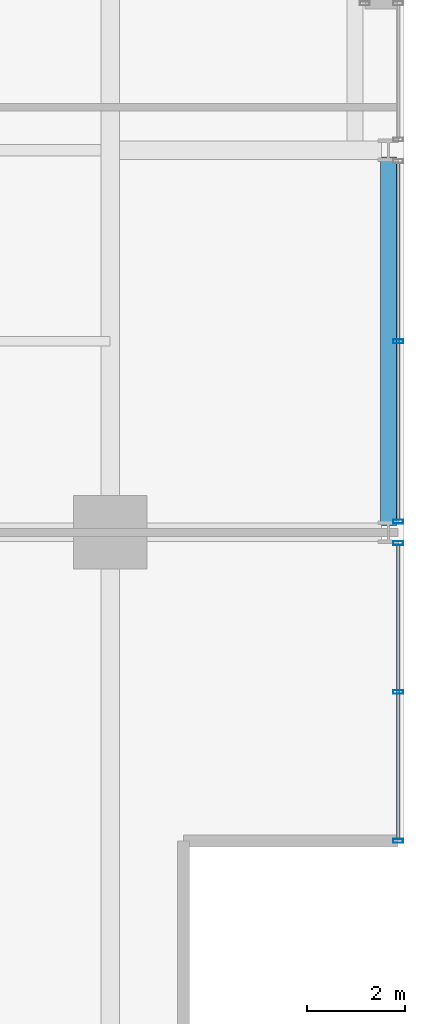
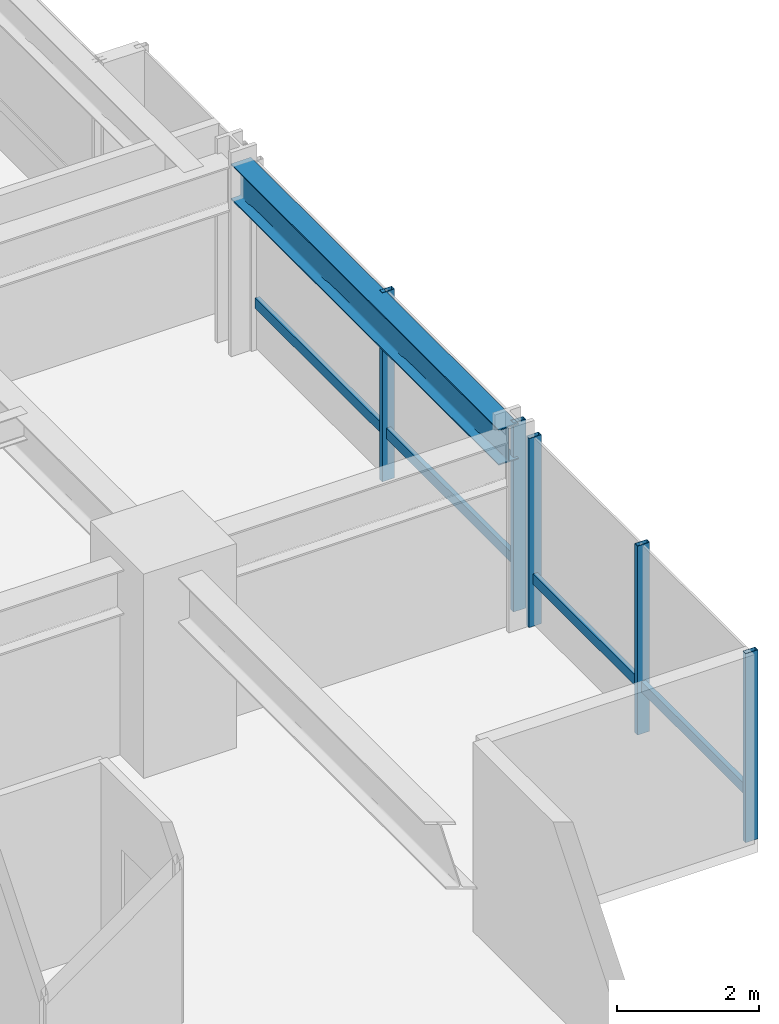
# One storey, part 13 of 34: 7 members, 1 beam, 2 elements without a shape of their own.
"""IFC4 building model written with IfcOpenShell, lengths in metres."""

from ifc_helpers import new_model, si_unit, direction, frame, origin, origin_2d, place, context, subcontext, project, spatial, hollow_rectangle, i_section, extrude, material, layer, layer_set, material_profile, profile_set, type_object, element, aggregate, save


model = new_model("IFC4")

# Units and contexts
model_context = context("Model", 3, precision=1e-05, world=origin(), true_north=direction((0.0, 1.0)))
body_context = subcontext(model_context, "Body", "Model", "MODEL_VIEW")
ifc_project = project(units=[si_unit("LENGTHUNIT", "METRE"), si_unit("AREAUNIT", "SQUARE_METRE"), si_unit("VOLUMEUNIT", "CUBIC_METRE"), si_unit("PLANEANGLEUNIT", "RADIAN"), si_unit("MASSUNIT", "GRAM", prefix="KILO")], contexts=[model_context])

# Site, building, storey
site_placement = place(None, origin())
site = spatial("IfcSite", under=ifc_project, at=site_placement, CompositionType="ELEMENT")
building_placement = place(site_placement, origin())
building = spatial("IfcBuilding", under=site, at=building_placement, Name="Drelvath Grand Hotel", CompositionType="ELEMENT")
storey_placement = place(building_placement, frame((0.0, 0.0, 109.300048828125)))
storey = spatial("IfcBuildingStorey", under=building, at=storey_placement, Name="L27", CompositionType="ELEMENT", Elevation=109.300048828125)

# Curtain wall, member
ifc_material_1 = material(Name="Champagne Bronze Anodised Aluminium Frame", Category="aluminium")
ifc_layer = layer(ifc_material_1, 0.199951171875)
ifc_layer_set = layer_set([ifc_layer], Name="Champagne Bronze Anodised Aluminium Frame")
curtain_wall_type = type_object("IfcCurtainWallType", Name="Stick Curtain Wall CW-03 Champagne Bronze Mid-Rise", PredefinedType="NOTDEFINED", material=ifc_layer_set)
curtain_wall_1_placement = place(storey_placement, origin())
curtain_wall_1 = element("IfcCurtainWall", 1, at=curtain_wall_1_placement, inside=storey, type_object=curtain_wall_type, Name="L27 CW-03 Curtain Wall CW03-L27-ES1", PredefinedType="NOTDEFINED")
ifc_material_profile_1 = material_profile(ifc_material_1, hollow_rectangle(XDim=0.074951171875, YDim=0.179931640625, WallThickness=0.0048828125, at=origin_2d()), Name="HSS180X75X5")
ifc_profile_set_1 = profile_set([ifc_material_profile_1], Name="Champagne Bronze Anodised Aluminium Frame")
member_type_1 = type_object("IfcMemberType", Name="Curtain Wall Horizontal Transom CW-03 HSS180X75X5", PredefinedType="USERDEFINED", material=ifc_profile_set_1)
member_1_placement = place(storey_placement, frame((22.080078125, 10.540283203125, 0.81005859375), z_axis=(0.0, -1.0, 0.0), x_axis=(1.0, 0.0, 0.0)))
member_1 = element("IfcMember", 2, at=member_1_placement, type_object=member_type_1, Name="CW03-L27-ES1 Sill Transom", ObjectType="TRANSOM", PredefinedType="USERDEFINED", context=body_context, shape_type="SweptSolid", body=[
    extrude(hollow_rectangle(XDim=0.074951171875, YDim=0.179931640625, WallThickness=0.0048828125, at=origin_2d()), origin(), (0.0, 0.0, 1.0), 6.000244140625),
])

curtain_wall_2_placement = place(storey_placement, origin())
curtain_wall_2 = element("IfcCurtainWall", 3, at=curtain_wall_2_placement, inside=storey, type_object=curtain_wall_type, Name="L27 CW-03 Curtain Wall CW03-L27-ES2", PredefinedType="NOTDEFINED")
member_2_placement = place(storey_placement, frame((22.080078125, 18.34033203125, 0.81005859375), z_axis=(0.0, -1.0, 0.0), x_axis=(1.0, 0.0, 0.0)))
member_2 = element("IfcMember", 4, at=member_2_placement, type_object=member_type_1, Name="CW03-L27-ES2 Sill Transom", ObjectType="TRANSOM", PredefinedType="USERDEFINED", context=body_context, shape_type="SweptSolid", body=[
    extrude(hollow_rectangle(XDim=0.074951171875, YDim=0.179931640625, WallThickness=0.0048828125, at=origin_2d()), origin(), (0.0, 0.0, 1.0), 7.28076171875),
])

# Member
ifc_material_profile_2 = material_profile(ifc_material_1, hollow_rectangle(XDim=0.080078125, YDim=0.199951171875, WallThickness=0.0048828125, at=origin_2d()), Name="HSS200X80X5")
ifc_profile_set_2 = profile_set([ifc_material_profile_2], Name="Champagne Bronze Anodised Aluminium Frame")
member_type_2 = type_object("IfcMemberType", Name="Curtain Wall Vertical Mullion CW-03 HSS200X80X5", PredefinedType="MULLION", material=ifc_profile_set_2)
member_3_placement = place(storey_placement, frame((22.080078125, 10.580322265625, 0.0), z_axis=(0.0, 0.0, 1.0), x_axis=(0.0, 1.0, 0.0)))
member_3 = element("IfcMember", 5, at=member_3_placement, type_object=member_type_2, Name="CW03-L27-ES1 Mullion 1", PredefinedType="MULLION", context=body_context, shape_type="SweptSolid", body=[
    extrude(hollow_rectangle(XDim=0.080078125, YDim=0.199951171875, WallThickness=0.0048828125, at=origin_2d()), origin(), (0.0, 0.0, 1.0), 3.239990234375),
])

member_4_placement = place(storey_placement, frame((22.080078125, 7.540283203125, 0.0), z_axis=(0.0, 0.0, 1.0), x_axis=(0.0, 1.0, 0.0)))
member_4 = element("IfcMember", 6, at=member_4_placement, type_object=member_type_2, Name="CW03-L27-ES1 Mullion 2", PredefinedType="MULLION", context=body_context, shape_type="SweptSolid", body=[
    extrude(hollow_rectangle(XDim=0.080078125, YDim=0.199951171875, WallThickness=0.0048828125, at=origin_2d()), origin(), (0.0, 0.0, 1.0), 3.239990234375),
])

member_5_placement = place(storey_placement, frame((22.080078125, 4.5, 0.0), z_axis=(0.0, 0.0, 1.0), x_axis=(0.0, 1.0, 0.0)))
member_5 = element("IfcMember", 7, at=member_5_placement, type_object=member_type_2, Name="CW03-L27-ES1 Mullion 3", PredefinedType="MULLION", context=body_context, shape_type="SweptSolid", body=[
    extrude(hollow_rectangle(XDim=0.080078125, YDim=0.199951171875, WallThickness=0.0048828125, at=origin_2d()), origin(), (0.0, 0.0, 1.0), 3.239990234375),
])

aggregate(curtain_wall_1, [member_3, member_4, member_5, member_1])

member_6_placement = place(storey_placement, frame((22.080078125, 14.699951171875, 0.0), z_axis=(0.0, 0.0, 1.0), x_axis=(0.0, 1.0, 0.0)))
member_6 = element("IfcMember", 8, at=member_6_placement, type_object=member_type_2, Name="CW03-L27-ES2 Mullion 2", PredefinedType="MULLION", context=body_context, shape_type="SweptSolid", body=[
    extrude(hollow_rectangle(XDim=0.080078125, YDim=0.199951171875, WallThickness=0.0048828125, at=origin_2d()), origin(), (0.0, 0.0, 1.0), 3.239990234375),
])

member_7_placement = place(storey_placement, frame((22.080078125, 11.01953125, 0.0), z_axis=(0.0, 0.0, 1.0), x_axis=(0.0, 1.0, 0.0)))
member_7 = element("IfcMember", 9, at=member_7_placement, type_object=member_type_2, Name="CW03-L27-ES2 Mullion 3", PredefinedType="MULLION", context=body_context, shape_type="SweptSolid", body=[
    extrude(hollow_rectangle(XDim=0.080078125, YDim=0.199951171875, WallThickness=0.0048828125, at=origin_2d()), origin(), (0.0, 0.0, 1.0), 3.239990234375),
])

aggregate(curtain_wall_2, [member_6, member_7, member_2])

# Beam
ifc_material_2 = material(Name="Steel ASTM A992 Gr 50", Category="steel")
ifc_material_profile_3 = material_profile(ifc_material_2, i_section(OverallWidth=0.323974609375, OverallDepth=0.611083984375, WebThickness=0.0126953125, FlangeThickness=0.01904296875, FilletRadius=0.02197265625, at=origin_2d()), Name="W24X104")
ifc_profile_set_3 = profile_set([ifc_material_profile_3], Name="Steel ASTM A992 Gr 50")
beam_type = type_object("IfcBeamType", Name="Perimeter Spandrel Beam W24X104", PredefinedType="SPANDREL", material=ifc_profile_set_3)
beam_placement = place(storey_placement, frame((21.8798828125, 10.93994140625, 2.9345703125), z_axis=(0.0, 1.0, 0.0), x_axis=(-1.0, 0.0, 0.0)))
element("IfcBeam", 10, at=beam_placement, inside=storey, type_object=beam_type, Name="L27 Spandrel East S", PredefinedType="SPANDREL", context=body_context, shape_type="SweptSolid", body=[
    extrude(i_section(OverallWidth=0.323974609375, OverallDepth=0.611083984375, WebThickness=0.0126953125, FlangeThickness=0.01904296875, FilletRadius=0.02197265625, at=origin_2d()), origin(), (0.0, 0.0, 1.0), 7.52001953125),
])

save(model, "model.ifc")
